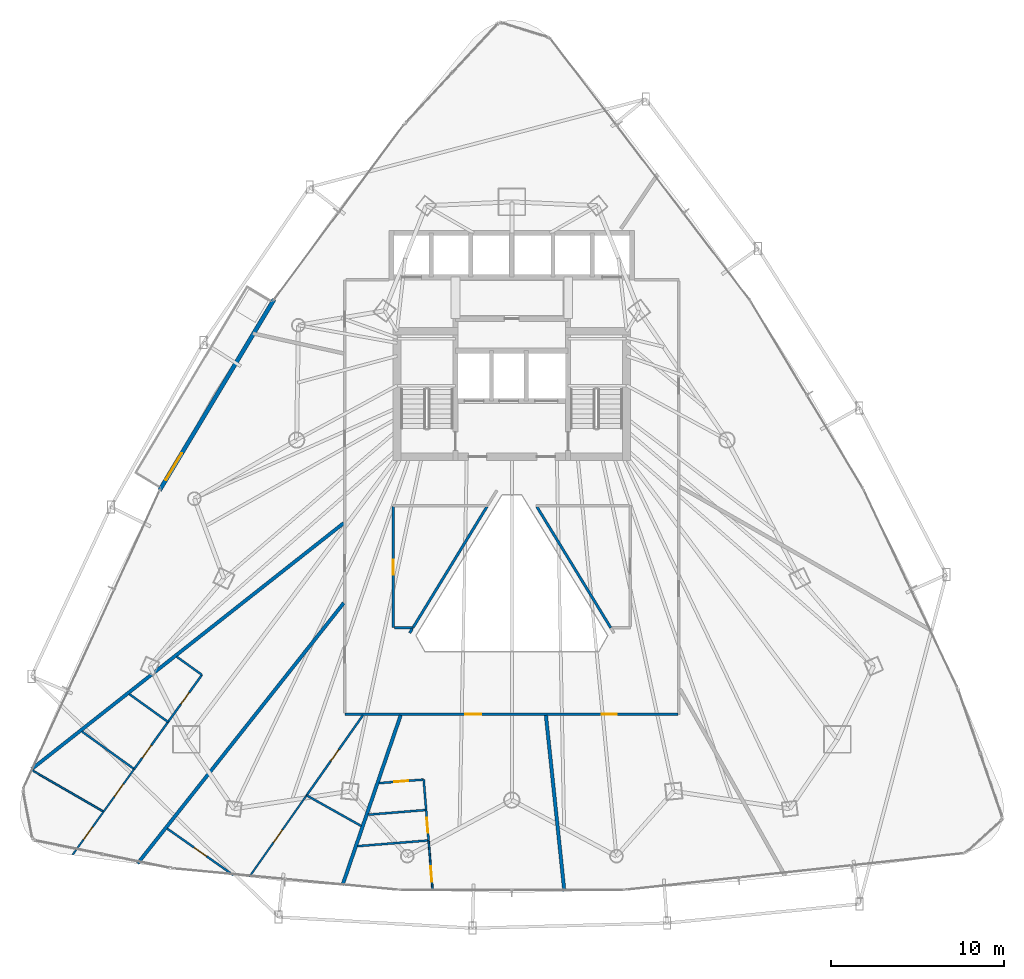
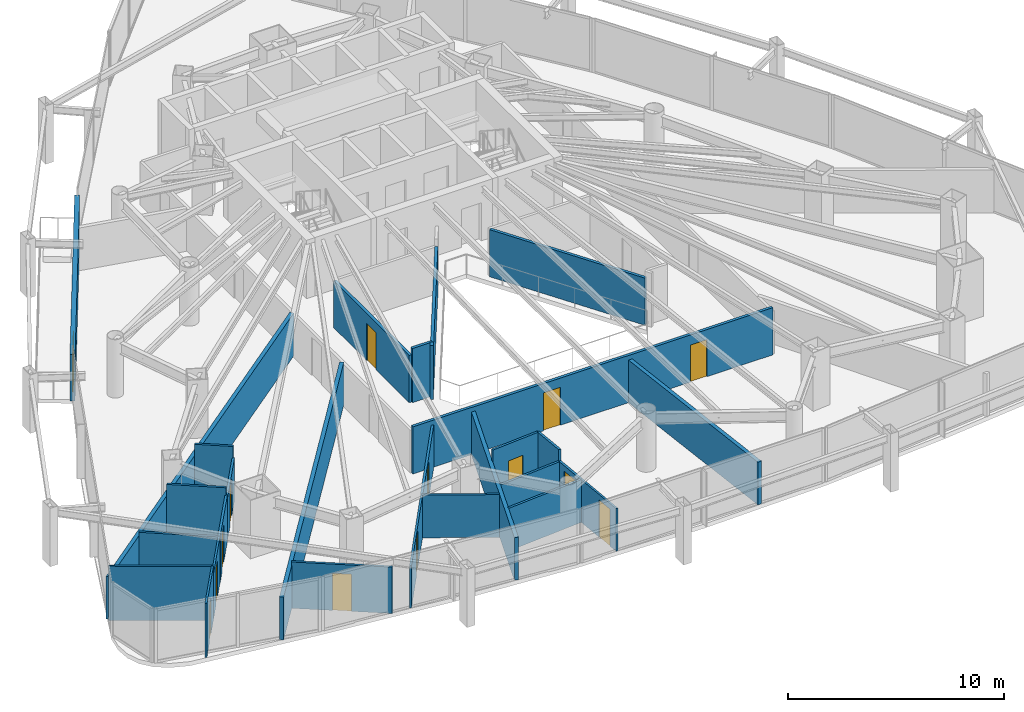
# One storey, part 31 of 37: 29 walls, 14 doors, 14 openings.
"""IFC4 building model written with IfcOpenShell, lengths in metres."""

from ifc_helpers import new_model, si_unit, direction, frame, frame_2d, origin, place, context, subcontext, project, spatial, rectangle, extrude, material, layer, layer_set, type_object, element, fill, save


model = new_model("IFC4")

# Units and contexts
model_context = context("Model", 3, precision=1e-05, world=origin(), true_north=direction((0.0, 1.0)))
body_context = subcontext(model_context, "Body", "Model", "MODEL_VIEW")
ifc_project = project(units=[si_unit("LENGTHUNIT", "METRE"), si_unit("AREAUNIT", "SQUARE_METRE"), si_unit("VOLUMEUNIT", "CUBIC_METRE"), si_unit("PLANEANGLEUNIT", "RADIAN"), si_unit("MASSUNIT", "GRAM", prefix="KILO")], contexts=[model_context])

# Site, building, storey
site_placement = place(None, origin())
site = spatial("IfcSite", under=ifc_project, at=site_placement, CompositionType="ELEMENT")
building_placement = place(site_placement, origin())
building = spatial("IfcBuilding", under=site, at=building_placement, Name="Orvanel Arch Residences", CompositionType="ELEMENT")
storey_placement = place(building_placement, frame((0.0, 0.0, 53.300048828125)))
storey = spatial("IfcBuildingStorey", under=building, at=storey_placement, Name="L14", CompositionType="ELEMENT", Elevation=53.300048828125)

# Wall, opening, door
ifc_material_1 = material(Name="Precast concrete N50 (50 MPa)", Category="concrete")
ifc_layer_1 = layer(ifc_material_1, 0.239990234375)
ifc_layer_set_1 = layer_set([ifc_layer_1], Name="Precast concrete N50 (50 MPa)")
wall_type_1 = type_object("IfcWallType", Name="EW-BAL-240", PredefinedType="SOLIDWALL", material=ifc_layer_set_1)
wall_1_placement = place(storey_placement, frame((19.264892578125, 35.764892578125, 0.0), z_axis=(0.0, 0.0, 1.0), x_axis=(-0.51430869017, -0.857605137121, 0.0)))
wall_1 = element("IfcWall", 1, at=wall_1_placement, inside=storey, type_object=wall_type_1, Name="L14 Balcony Threshold Wall Face 1", PredefinedType="SOLIDWALL", context=body_context, shape_type="SweptSolid", body=[
    extrude(rectangle(XDim=12.860107421875, YDim=0.239990234375, at=frame_2d((6.43017578125, 0.0))), origin(), (0.0, 0.0, 1.0), 2.6240234375),
])
opening_1_placement = place(wall_1_placement, frame((10.362060546875, 0.0, 0.0)))
opening_1 = element("IfcOpeningElement", 2, at=opening_1_placement, cuts=wall_1, Name="Opening DB-180", PredefinedType="OPENING", context=body_context, shape_type="SweptSolid", body=[
    extrude(rectangle(XDim=1.800048828125, YDim=2.199951171875, at=frame_2d((0.89990234375, 1.10009765625))), frame((0.0, 0.1298828125, 0.0), z_axis=(0.0, -1.0, 0.0), x_axis=(1.0, 0.0, 0.0)), (0.0, 0.0, 1.0), 0.260009765625),
])
ifc_material_2 = material(Name="Bronze-anodised aluminium AA6063-T6", Category="aluminium")
door_type_1 = type_object("IfcDoorType", Name="DR-BAL-1800", OperationType="NOTDEFINED", PredefinedType="DOOR", material=ifc_material_2)
door_1_placement = place(opening_1_placement, origin())
door_1 = element("IfcDoor", 3, at=door_1_placement, inside=storey, type_object=door_type_1, Name="DR-L14-BAL-F1 L14 Planted Balcony Access Door Face 1", OperationType="SINGLE_SWING_RIGHT", OverallHeight=2.199951171875, OverallWidth=1.800048828125, PredefinedType="DOOR", context=body_context, shape_type="SweptSolid", body=[
    extrude(rectangle(XDim=1.800048828125, YDim=2.199951171875, at=frame_2d((0.89990234375, 1.10009765625))), frame((0.0, 0.02490234375, 0.0), z_axis=(0.0, -1.0, 0.0), x_axis=(1.0, 0.0, 0.0)), (0.0, 0.0, 1.0), 0.050048828125),
])
fill(opening_1, door_1)

# Wall, openings, doors
ifc_material_3 = material(Name="Fire-rated plasterboard lined steel stud partition", Category="steel")
ifc_layer_2 = layer(ifc_material_3, 0.14990234375)
ifc_layer_set_2 = layer_set([ifc_layer_2], Name="Fire-rated plasterboard lined steel stud partition")
wall_type_2 = type_object("IfcWallType", Name="W-COR-150", PredefinedType="PARTITIONING", material=ifc_layer_set_2)
wall_2_placement = place(storey_placement, frame((42.590087890625, 11.800048828125, 0.0), z_axis=(0.0, 0.0, 1.0), x_axis=(-1.0, 0.0, 0.0)))
wall_2 = element("IfcWall", 4, at=wall_2_placement, inside=storey, type_object=wall_type_2, Name="L14 Corridor Fire-Rated Partition", PredefinedType="PARTITIONING", context=body_context, shape_type="SweptSolid", body=[
    extrude(rectangle(XDim=19.239990234375, YDim=0.14990234375, at=frame_2d((9.6201171875, 0.0))), origin(), (0.0, 0.0, 1.0), 2.6689453125),
])
opening_2_placement = place(wall_2_placement, frame((11.35498046875, 0.0, 0.0)))
opening_2 = element("IfcOpeningElement", 5, at=opening_2_placement, cuts=wall_2, Name="Opening DA-092", PredefinedType="OPENING", context=body_context, shape_type="SweptSolid", body=[
    extrude(rectangle(XDim=0.919921875, YDim=2.14990234375, at=frame_2d((0.4599609375, 1.074951171875))), frame((0.0, 0.0849609375, 0.0), z_axis=(0.0, -1.0, 0.0), x_axis=(1.0, 0.0, 0.0)), (0.0, 0.0, 1.0), 0.169921875),
])
opening_3_placement = place(wall_2_placement, frame((3.52392578125, 0.0, 0.0)))
opening_3 = element("IfcOpeningElement", 6, at=opening_3_placement, cuts=wall_2, Name="Opening DI-088", PredefinedType="OPENING", context=body_context, shape_type="SweptSolid", body=[
    extrude(rectangle(XDim=0.8798828125, YDim=2.10009765625, at=frame_2d((0.43994140625, 1.050048828125))), frame((0.0, 0.0849609375, 0.0), z_axis=(0.0, -1.0, 0.0), x_axis=(1.0, 0.0, 0.0)), (0.0, 0.0, 1.0), 0.169921875),
])
ifc_material_4 = material(Name="Solid-core European oak veneer fire door leaf", Category="wood")
door_type_2 = type_object("IfcDoorType", Name="DR-APT-920", OperationType="NOTDEFINED", PredefinedType="DOOR", material=ifc_material_4)
door_2_placement = place(opening_2_placement, origin())
door_2 = element("IfcDoor", 7, at=door_2_placement, inside=storey, type_object=door_type_2, Name="DR-L14-G-ENT L14 Flat G Entrance Door", OperationType="SINGLE_SWING_RIGHT", OverallHeight=2.14990234375, OverallWidth=0.919921875, PredefinedType="DOOR", context=body_context, shape_type="SweptSolid", body=[
    extrude(rectangle(XDim=0.919921875, YDim=2.14990234375, at=frame_2d((0.4599609375, 1.074951171875))), frame((0.0, 0.02490234375, 0.0), z_axis=(0.0, -1.0, 0.0), x_axis=(1.0, 0.0, 0.0)), (0.0, 0.0, 1.0), 0.050048828125),
])
fill(opening_2, door_2)
door_type_3 = type_object("IfcDoorType", Name="DR-INT-880", OperationType="NOTDEFINED", PredefinedType="DOOR", material=ifc_material_4)
door_3_placement = place(opening_3_placement, origin())
door_3 = element("IfcDoor", 8, at=door_3_placement, inside=storey, type_object=door_type_3, Name="DR-L14-SHRD-FB8 L14 Co-Working Study Office H Door", OperationType="SINGLE_SWING_LEFT", OverallHeight=2.10009765625, OverallWidth=0.8798828125, PredefinedType="DOOR", context=body_context, shape_type="SweptSolid", body=[
    extrude(rectangle(XDim=0.8798828125, YDim=2.10009765625, at=frame_2d((0.43994140625, 1.050048828125))), frame((0.0, 0.02490234375, 0.0), z_axis=(0.0, -1.0, 0.0), x_axis=(1.0, 0.0, 0.0)), (0.0, 0.0, 1.0), 0.050048828125),
])
fill(opening_3, door_3)

# Wall, opening, door
wall_3_placement = place(storey_placement, frame((26.14990234375, 23.7900390625, 0.0), z_axis=(0.0, 0.0, 1.0), x_axis=(0.0, -1.0, 0.0)))
wall_3 = element("IfcWall", 9, at=wall_3_placement, inside=storey, type_object=wall_type_2, Name="L14 Corridor Fire-Rated Partition", PredefinedType="PARTITIONING", context=body_context, shape_type="SweptSolid", body=[
    extrude(rectangle(XDim=6.989990234375, YDim=0.14990234375, at=frame_2d((3.4951171875, 0.0))), origin(), (0.0, 0.0, 1.0), 2.6689453125),
])
opening_4_placement = place(wall_3_placement, frame((3.054931640625, 0.0, 0.0)))
opening_4 = element("IfcOpeningElement", 10, at=opening_4_placement, cuts=wall_3, Name="Opening DI-088", PredefinedType="OPENING", context=body_context, shape_type="SweptSolid", body=[
    extrude(rectangle(XDim=0.8798828125, YDim=2.10009765625, at=frame_2d((0.43994140625, 1.050048828125))), frame((0.0, 0.0849609375, 0.0), z_axis=(0.0, -1.0, 0.0), x_axis=(1.0, 0.0, 0.0)), (0.0, 0.0, 1.0), 0.169921875),
])
door_4_placement = place(opening_4_placement, origin())
door_4 = element("IfcDoor", 11, at=door_4_placement, inside=storey, type_object=door_type_3, Name="DR-L14-SHRD-FB9 L14 Co-Working Study Office I Door", OperationType="SINGLE_SWING_LEFT", OverallHeight=2.10009765625, OverallWidth=0.8798828125, PredefinedType="DOOR", context=body_context, shape_type="SweptSolid", body=[
    extrude(rectangle(XDim=0.8798828125, YDim=2.10009765625, at=frame_2d((0.43994140625, 1.050048828125))), frame((0.0, 0.02490234375, 0.0), z_axis=(0.0, -1.0, 0.0), x_axis=(1.0, 0.0, 0.0)), (0.0, 0.0, 1.0), 0.050048828125),
])
fill(opening_4, door_4)

# Walls
wall_4_placement = place(storey_placement, frame((26.2099609375, 16.800048828125, 0.0), z_axis=(0.0, 0.0, 1.0), x_axis=(1.0, 0.0, 0.0)))
element("IfcWall", 12, at=wall_4_placement, inside=storey, type_object=wall_type_2, Name="L14 Corridor Fire-Rated Partition", PredefinedType="PARTITIONING", context=body_context, shape_type="SweptSolid", body=[
    extrude(rectangle(XDim=1.071044921875, YDim=0.14990234375, at=frame_2d((0.53564453125, 0.0))), origin(), (0.0, 0.0, 1.0), 3.06005859375),
])
wall_5_placement = place(storey_placement, frame((27.24609375, 16.739990234375, 0.0), z_axis=(0.0, 0.0, 1.0), x_axis=(-0.508992658084, -0.860770860344, 0.0)))
element("IfcWall", 13, at=wall_5_placement, inside=storey, type_object=wall_type_2, Name="L14 Corridor Fire-Rated Partition", PredefinedType="PARTITIONING", context=body_context, shape_type="SweptSolid", body=[
    extrude(rectangle(XDim=0.281005859375, YDim=0.14990234375, at=frame_2d((0.140625, 0.0))), origin(), (0.0, 0.0, 1.0), 3.06005859375),
])
wall_6_placement = place(storey_placement, frame((27.281005859375, 16.7900390625, 0.0), z_axis=(0.0, 0.0, 1.0), x_axis=(0.521563150989, 0.8532126813, 0.0)))
element("IfcWall", 14, at=wall_6_placement, inside=storey, type_object=wall_type_2, Name="L14 Atrium Overlook Glazed Partition", PredefinedType="PARTITIONING", context=body_context, shape_type="SweptSolid", body=[
    extrude(rectangle(XDim=8.204345703125, YDim=0.14990234375, at=frame_2d((4.10205078125, 0.0))), origin(), (0.0, 0.0, 1.0), 2.6689453125),
])
wall_7_placement = place(storey_placement, frame((34.445068359375, 23.7900390625, 0.0), z_axis=(0.0, 0.0, 1.0), x_axis=(0.521145044988, -0.853468125992, 0.0)))
element("IfcWall", 15, at=wall_7_placement, inside=storey, type_object=wall_type_2, Name="L14 Atrium Overlook Glazed Partition", PredefinedType="PARTITIONING", context=body_context, shape_type="SweptSolid", body=[
    extrude(rectangle(XDim=8.193603515625, YDim=0.14990234375, at=frame_2d((4.0966796875, 0.0))), origin(), (0.0, 0.0, 1.0), 2.6689453125),
])
ifc_layer_3 = layer(ifc_material_3, 0.199951171875)
ifc_layer_set_3 = layer_set([ifc_layer_3], Name="Fire-rated plasterboard lined steel stud partition")
wall_type_3 = type_object("IfcWallType", Name="W-DEM-200", PredefinedType="PARTITIONING", material=ifc_layer_set_3)
wall_8_placement = place(storey_placement, frame((23.2900390625, 22.843994140625, 0.0), z_axis=(0.0, 0.0, 1.0), x_axis=(-0.785302077685, -0.619112790034, 0.0)))
element("IfcWall", 16, at=wall_8_placement, inside=storey, type_object=wall_type_3, Name="L14 Inter-Tenancy Acoustic Demising Wall", PredefinedType="PARTITIONING", context=body_context, shape_type="SweptSolid", body=[
    extrude(rectangle(XDim=22.956787109375, YDim=0.199951171875, at=frame_2d((11.478515625, 0.0))), origin(), (0.0, 0.0, 1.0), 2.412841796875),
])
wall_9_placement = place(storey_placement, frame((23.2900390625, 18.22802734375, 0.0), z_axis=(0.0, 0.0, 1.0), x_axis=(-0.620501189922, -0.784205504511, 0.0)))
element("IfcWall", 17, at=wall_9_placement, inside=storey, type_object=wall_type_3, Name="L14 Inter-Tenancy Acoustic Demising Wall", PredefinedType="PARTITIONING", context=body_context, shape_type="SweptSolid", body=[
    extrude(rectangle(XDim=19.187744140625, YDim=0.199951171875, at=frame_2d((9.59375, 0.0))), origin(), (0.0, 0.0, 1.0), 2.412841796875),
])
wall_10_placement = place(storey_placement, frame((26.5791015625, 11.739990234375, 0.0), z_axis=(0.0, 0.0, 1.0), x_axis=(-0.32385337678, -0.946107282684, 0.0)))
element("IfcWall", 18, at=wall_10_placement, inside=storey, type_object=wall_type_3, Name="L14 Inter-Tenancy Acoustic Demising Wall", PredefinedType="PARTITIONING", context=body_context, shape_type="SweptSolid", body=[
    extrude(rectangle(XDim=10.37841796875, YDim=0.199951171875, at=frame_2d((5.189208984375, 0.0))), origin(), (0.0, 0.0, 1.0), 2.412841796875),
])
wall_11_placement = place(storey_placement, frame((34.968994140625, 11.739990234375, 0.0), z_axis=(0.0, 0.0, 1.0), x_axis=(0.10435134466, -0.994540495338, 0.0)))
element("IfcWall", 19, at=wall_11_placement, inside=storey, type_object=wall_type_3, Name="L14 Inter-Tenancy Acoustic Demising Wall", PredefinedType="PARTITIONING", context=body_context, shape_type="SweptSolid", body=[
    extrude(rectangle(XDim=10.214599609375, YDim=0.199951171875, at=frame_2d((5.107421875, 0.0))), origin(), (0.0, 0.0, 1.0), 2.412841796875),
])

# Wall, opening, door
ifc_material_5 = material(Name="Acoustic plasterboard lined twin-stud partition", Category="gypsum")
ifc_layer_4 = layer(ifc_material_5, 0.10009765625)
ifc_layer_set_4 = layer_set([ifc_layer_4], Name="Acoustic plasterboard lined twin-stud partition")
wall_type_4 = type_object("IfcWallType", Name="W-INT-100", PredefinedType="PARTITIONING", material=ifc_layer_set_4)
wall_12_placement = place(storey_placement, frame((7.62890625, 3.68505859375, 0.0), z_axis=(0.0, 0.0, 1.0), x_axis=(0.583746077317, 0.811936276574, 0.0)))
wall_12 = element("IfcWall", 20, at=wall_12_placement, inside=storey, type_object=wall_type_4, Name="L14 Flat E Internal Partition", PredefinedType="PARTITIONING", context=body_context, shape_type="SweptSolid", body=[
    extrude(rectangle(XDim=3.063232421875, YDim=0.10009765625, at=frame_2d((1.53173828125, 0.0))), origin(), (0.0, 0.0, 1.0), 3.06005859375),
])
opening_5_placement = place(wall_12_placement, frame((1.092041015625, 0.0, 0.0)))
opening_5 = element("IfcOpeningElement", 21, at=opening_5_placement, cuts=wall_12, Name="Opening DI-088", PredefinedType="OPENING", context=body_context, shape_type="SweptSolid", body=[
    extrude(rectangle(XDim=0.8798828125, YDim=2.10009765625, at=frame_2d((0.43994140625, 1.050048828125))), frame((0.0, 0.06005859375, 0.0), z_axis=(0.0, -1.0, 0.0), x_axis=(1.0, 0.0, 0.0)), (0.0, 0.0, 1.0), 0.1201171875),
])
door_5_placement = place(opening_5_placement, origin())
door_5 = element("IfcDoor", 22, at=door_5_placement, inside=storey, type_object=door_type_3, Name="DR-L14-E-BED1 L14 Flat E Bedroom 1 Door", OperationType="SINGLE_SWING_LEFT", OverallHeight=2.10009765625, OverallWidth=0.8798828125, PredefinedType="DOOR", context=body_context, shape_type="SweptSolid", body=[
    extrude(rectangle(XDim=0.8798828125, YDim=2.10009765625, at=frame_2d((0.43994140625, 1.050048828125))), frame((0.0, 0.02490234375, 0.0), z_axis=(0.0, -1.0, 0.0), x_axis=(1.0, 0.0, 0.0)), (0.0, 0.0, 1.0), 0.050048828125),
])
fill(opening_5, door_5)

wall_13_placement = place(storey_placement, frame((9.4169921875, 6.172119140625, 0.0), z_axis=(0.0, 0.0, 1.0), x_axis=(0.583596240012, 0.812043981964, 0.0)))
wall_13 = element("IfcWall", 23, at=wall_13_placement, inside=storey, type_object=wall_type_4, Name="L14 Flat E Internal Partition", PredefinedType="PARTITIONING", context=body_context, shape_type="SweptSolid", body=[
    extrude(rectangle(XDim=3.032958984375, YDim=0.10009765625, at=frame_2d((1.5166015625, 0.0))), origin(), (0.0, 0.0, 1.0), 2.618896484375),
])
opening_6_placement = place(wall_13_placement, frame((1.076904296875, 0.0, 0.0)))
opening_6 = element("IfcOpeningElement", 24, at=opening_6_placement, cuts=wall_13, Name="Opening DI-088", PredefinedType="OPENING", context=body_context, shape_type="SweptSolid", body=[
    extrude(rectangle(XDim=0.8798828125, YDim=2.10009765625, at=frame_2d((0.43994140625, 1.050048828125))), frame((0.0, 0.06005859375, 0.0), z_axis=(0.0, -1.0, 0.0), x_axis=(1.0, 0.0, 0.0)), (0.0, 0.0, 1.0), 0.1201171875),
])
door_6_placement = place(opening_6_placement, origin())
door_6 = element("IfcDoor", 25, at=door_6_placement, inside=storey, type_object=door_type_3, Name="DR-L14-E-STU2 L14 Flat E Private Study Room 1 Door", OperationType="SINGLE_SWING_LEFT", OverallHeight=2.10009765625, OverallWidth=0.8798828125, PredefinedType="DOOR", context=body_context, shape_type="SweptSolid", body=[
    extrude(rectangle(XDim=0.8798828125, YDim=2.10009765625, at=frame_2d((0.43994140625, 1.050048828125))), frame((0.0, 0.02490234375, 0.0), z_axis=(0.0, -1.0, 0.0), x_axis=(1.0, 0.0, 0.0)), (0.0, 0.0, 1.0), 0.050048828125),
])
fill(opening_6, door_6)

# Wall
wall_14_placement = place(storey_placement, frame((5.2529296875, 8.590087890625, 0.0), z_axis=(0.0, 0.0, 1.0), x_axis=(0.864777582771, -0.502155087932, 0.0)))
element("IfcWall", 26, at=wall_14_placement, inside=storey, type_object=wall_type_4, Name="L14 Flat E Internal Partition", PredefinedType="PARTITIONING", context=body_context, shape_type="SweptSolid", body=[
    extrude(rectangle(XDim=4.815185546875, YDim=0.10009765625, at=frame_2d((2.40771484375, 0.0))), origin(), (0.0, 0.0, 1.0), 3.06005859375),
])

# Wall, opening, door
wall_15_placement = place(storey_placement, frame((21.14599609375, 7.115966796875, 0.0), z_axis=(0.0, 0.0, 1.0), x_axis=(-0.575180299529, -0.818026664011, 0.0)))
wall_15 = element("IfcWall", 27, at=wall_15_placement, inside=storey, type_object=wall_type_4, Name="L14 Flat F Internal Partition", PredefinedType="PARTITIONING", context=body_context, shape_type="SweptSolid", body=[
    extrude(rectangle(XDim=5.756591796875, YDim=0.10009765625, at=frame_2d((2.87841796875, 0.0))), origin(), (0.0, 0.0, 1.0), 2.412841796875),
])
opening_7_placement = place(wall_15_placement, frame((2.43798828125, 0.0, 0.0)))
opening_7 = element("IfcOpeningElement", 28, at=opening_7_placement, cuts=wall_15, Name="Opening DI-088", PredefinedType="OPENING", context=body_context, shape_type="SweptSolid", body=[
    extrude(rectangle(XDim=0.8798828125, YDim=2.10009765625, at=frame_2d((0.43994140625, 1.050048828125))), frame((0.0, 0.06005859375, 0.0), z_axis=(0.0, -1.0, 0.0), x_axis=(1.0, 0.0, 0.0)), (0.0, 0.0, 1.0), 0.1201171875),
])
door_7_placement = place(opening_7_placement, origin())
door_7 = element("IfcDoor", 29, at=door_7_placement, inside=storey, type_object=door_type_3, Name="DR-L14-F-BED1 L14 Flat F Bedroom 1 Door", OperationType="SINGLE_SWING_LEFT", OverallHeight=2.10009765625, OverallWidth=0.8798828125, PredefinedType="DOOR", context=body_context, shape_type="SweptSolid", body=[
    extrude(rectangle(XDim=0.8798828125, YDim=2.10009765625, at=frame_2d((0.43994140625, 1.050048828125))), frame((0.0, 0.02490234375, 0.0), z_axis=(0.0, -1.0, 0.0), x_axis=(1.0, 0.0, 0.0)), (0.0, 0.0, 1.0), 0.050048828125),
])
fill(opening_7, door_7)

wall_16_placement = place(storey_placement, frame((28.425048828125, 1.6220703125, 0.0), z_axis=(0.0, 0.0, 1.0), x_axis=(-0.080390934681, 0.996763411057, 0.0)))
wall_16 = element("IfcWall", 30, at=wall_16_placement, inside=storey, type_object=wall_type_4, Name="L14 Flat G Internal Partition", PredefinedType="PARTITIONING", context=body_context, shape_type="SweptSolid", body=[
    extrude(rectangle(XDim=2.900146484375, YDim=0.10009765625, at=frame_2d((1.4501953125, 0.0))), origin(), (0.0, 0.0, 1.0), 2.412841796875),
])
opening_8_placement = place(wall_16_placement, frame((0.51708984375, 0.0, 0.0)))
opening_8 = element("IfcOpeningElement", 31, at=opening_8_placement, cuts=wall_16, Name="Opening DI-088", PredefinedType="OPENING", context=body_context, shape_type="SweptSolid", body=[
    extrude(rectangle(XDim=0.8798828125, YDim=2.10009765625, at=frame_2d((0.43994140625, 1.050048828125))), frame((0.0, 0.06005859375, 0.0), z_axis=(0.0, -1.0, 0.0), x_axis=(1.0, 0.0, 0.0)), (0.0, 0.0, 1.0), 0.1201171875),
])
door_8_placement = place(opening_8_placement, origin())
door_8 = element("IfcDoor", 32, at=door_8_placement, inside=storey, type_object=door_type_3, Name="DR-L14-G-BED1 L14 Flat G Bedroom 1 Door", OperationType="SINGLE_SWING_LEFT", OverallHeight=2.10009765625, OverallWidth=0.8798828125, PredefinedType="DOOR", context=body_context, shape_type="SweptSolid", body=[
    extrude(rectangle(XDim=0.8798828125, YDim=2.10009765625, at=frame_2d((0.43994140625, 1.050048828125))), frame((0.0, 0.02490234375, 0.0), z_axis=(0.0, -1.0, 0.0), x_axis=(1.0, 0.0, 0.0)), (0.0, 0.0, 1.0), 0.050048828125),
])
fill(opening_8, door_8)

ifc_layer_5 = layer(ifc_material_5, 0.1201171875)
ifc_layer_set_5 = layer_set([ifc_layer_5], Name="Acoustic plasterboard lined twin-stud partition")
wall_type_5 = type_object("IfcWallType", Name="W-WET-120", PredefinedType="PARTITIONING", material=ifc_layer_set_5)
wall_17_placement = place(storey_placement, frame((13.14306640625, 11.35693359375, 0.0), z_axis=(0.0, 0.0, 1.0), x_axis=(0.583709603858, 0.811962498127, 0.0)))
wall_17 = element("IfcWall", 33, at=wall_17_placement, inside=storey, type_object=wall_type_5, Name="L14 Flat E Bathroom Partition", PredefinedType="PARTITIONING", context=body_context, shape_type="SweptSolid", body=[
    extrude(rectangle(XDim=3.35107421875, YDim=0.1201171875, at=frame_2d((1.675537109375, 0.0))), origin(), (0.0, 0.0, 1.0), 2.412841796875),
])
opening_9_placement = place(wall_17_placement, frame((1.26611328125, 0.0, 0.0)))
opening_9 = element("IfcOpeningElement", 34, at=opening_9_placement, cuts=wall_17, Name="Opening DW-082", PredefinedType="OPENING", context=body_context, shape_type="SweptSolid", body=[
    extrude(rectangle(XDim=0.820068359375, YDim=2.10009765625, at=frame_2d((0.41015625, 1.050048828125))), frame((0.0, 0.070068359375, 0.0), z_axis=(0.0, -1.0, 0.0), x_axis=(1.0, 0.0, 0.0)), (0.0, 0.0, 1.0), 0.14013671875),
])
door_type_4 = type_object("IfcDoorType", Name="DR-WET-820", OperationType="NOTDEFINED", PredefinedType="DOOR", material=ifc_material_4)
door_9_placement = place(opening_9_placement, origin())
door_9 = element("IfcDoor", 35, at=door_9_placement, inside=storey, type_object=door_type_4, Name="DR-L14-E-BATH L14 Flat E Bathroom Door", OperationType="SINGLE_SWING_RIGHT", OverallHeight=2.10009765625, OverallWidth=0.820068359375, PredefinedType="DOOR", context=body_context, shape_type="SweptSolid", body=[
    extrude(rectangle(XDim=0.820068359375, YDim=2.10009765625, at=frame_2d((0.41015625, 1.050048828125))), frame((0.0, 0.02490234375, 0.0), z_axis=(0.0, -1.0, 0.0), x_axis=(1.0, 0.0, 0.0)), (0.0, 0.0, 1.0), 0.050048828125),
])
fill(opening_9, door_9)

# Wall
wall_18_placement = place(storey_placement, frame((15.09912109375, 14.077880859375, 0.0), z_axis=(0.0, 0.0, 1.0), x_axis=(-0.812134003072, 0.583470959906, 0.0)))
element("IfcWall", 36, at=wall_18_placement, inside=storey, type_object=wall_type_5, Name="L14 Flat E Bathroom Partition", PredefinedType="PARTITIONING", context=body_context, shape_type="SweptSolid", body=[
    extrude(rectangle(XDim=1.798095703125, YDim=0.1201171875, at=frame_2d((0.89892578125, 0.0))), origin(), (0.0, 0.0, 1.0), 3.06005859375),
])

# Wall, opening, door
wall_19_placement = place(storey_placement, frame((11.18701171875, 8.635009765625, 0.0), z_axis=(0.0, 0.0, 1.0), x_axis=(0.583571510595, 0.812061753823, 0.0)))
wall_19 = element("IfcWall", 37, at=wall_19_placement, inside=storey, type_object=wall_type_5, Name="L14 Flat E Internal Partition", PredefinedType="PARTITIONING", context=body_context, shape_type="SweptSolid", body=[
    extrude(rectangle(XDim=3.351806640625, YDim=0.1201171875, at=frame_2d((1.67578125, 0.0))), origin(), (0.0, 0.0, 1.0), 2.618896484375),
])
opening_10_placement = place(wall_19_placement, frame((0.802001953125, 0.0, 0.0)))
opening_10 = element("IfcOpeningElement", 38, at=opening_10_placement, cuts=wall_19, Name="Opening DI-088", PredefinedType="OPENING", context=body_context, shape_type="SweptSolid", body=[
    extrude(rectangle(XDim=0.8798828125, YDim=2.10009765625, at=frame_2d((0.43994140625, 1.050048828125))), frame((0.0, 0.070068359375, 0.0), z_axis=(0.0, -1.0, 0.0), x_axis=(1.0, 0.0, 0.0)), (0.0, 0.0, 1.0), 0.14013671875),
])
door_10_placement = place(opening_10_placement, origin())
door_10 = element("IfcDoor", 39, at=door_10_placement, inside=storey, type_object=door_type_3, Name="DR-L14-E-KIT L14 Flat E Kitchen Door", OperationType="SINGLE_SWING_LEFT", OverallHeight=2.10009765625, OverallWidth=0.8798828125, PredefinedType="DOOR", context=body_context, shape_type="SweptSolid", body=[
    extrude(rectangle(XDim=0.8798828125, YDim=2.10009765625, at=frame_2d((0.43994140625, 1.050048828125))), frame((0.0, 0.02490234375, 0.0), z_axis=(0.0, -1.0, 0.0), x_axis=(1.0, 0.0, 0.0)), (0.0, 0.0, 1.0), 0.050048828125),
])
fill(opening_10, door_10)

# Walls
wall_20_placement = place(storey_placement, frame((13.14306640625, 11.35693359375, 0.0), z_axis=(0.0, 0.0, 1.0), x_axis=(-0.812099176387, 0.583519432162, 0.0)))
element("IfcWall", 40, at=wall_20_placement, inside=storey, type_object=wall_type_5, Name="L14 Flat E Bathroom Partition", PredefinedType="PARTITIONING", context=body_context, shape_type="SweptSolid", body=[
    extrude(rectangle(XDim=2.760986328125, YDim=0.1201171875, at=frame_2d((1.38037109375, 0.0))), origin(), (0.0, 0.0, 1.0), 3.06005859375),
])
wall_21_placement = place(storey_placement, frame((11.18701171875, 8.635009765625, 0.0), z_axis=(0.0, 0.0, 1.0), x_axis=(-0.812025077548, 0.583622543629, 0.0)))
element("IfcWall", 41, at=wall_21_placement, inside=storey, type_object=wall_type_5, Name="L14 Flat E Internal Partition", PredefinedType="PARTITIONING", context=body_context, shape_type="SweptSolid", body=[
    extrude(rectangle(XDim=3.72509765625, YDim=0.1201171875, at=frame_2d((1.862548828125, 0.0))), origin(), (0.0, 0.0, 1.0), 2.618896484375),
])

# Wall, opening, door
wall_22_placement = place(storey_placement, frame((24.39794921875, 11.739990234375, 0.0), z_axis=(0.0, 0.0, 1.0), x_axis=(-0.575258030062, -0.817972003707, 0.0)))
wall_22 = element("IfcWall", 42, at=wall_22_placement, inside=storey, type_object=wall_type_5, Name="L14 Flat F Bathroom Partition", PredefinedType="PARTITIONING", context=body_context, shape_type="SweptSolid", body=[
    extrude(rectangle(XDim=5.653076171875, YDim=0.1201171875, at=frame_2d((2.82666015625, 0.0))), origin(), (0.0, 0.0, 1.0), 2.412841796875),
])
opening_11_placement = place(wall_22_placement, frame((2.4169921875, 0.0, 0.0)))
opening_11 = element("IfcOpeningElement", 43, at=opening_11_placement, cuts=wall_22, Name="Opening DW-082", PredefinedType="OPENING", context=body_context, shape_type="SweptSolid", body=[
    extrude(rectangle(XDim=0.820068359375, YDim=2.10009765625, at=frame_2d((0.41015625, 1.050048828125))), frame((0.0, 0.070068359375, 0.0), z_axis=(0.0, -1.0, 0.0), x_axis=(1.0, 0.0, 0.0)), (0.0, 0.0, 1.0), 0.14013671875),
])
door_11_placement = place(opening_11_placement, origin())
door_11 = element("IfcDoor", 44, at=door_11_placement, inside=storey, type_object=door_type_4, Name="DR-L14-F-BATH L14 Flat F Bathroom Door", OperationType="SINGLE_SWING_RIGHT", OverallHeight=2.10009765625, OverallWidth=0.820068359375, PredefinedType="DOOR", context=body_context, shape_type="SweptSolid", body=[
    extrude(rectangle(XDim=0.820068359375, YDim=2.10009765625, at=frame_2d((0.41015625, 1.050048828125))), frame((0.0, 0.02490234375, 0.0), z_axis=(0.0, -1.0, 0.0), x_axis=(1.0, 0.0, 0.0)), (0.0, 0.0, 1.0), 0.050048828125),
])
fill(opening_11, door_11)

wall_23_placement = place(storey_placement, frame((16.9208984375, 2.5048828125, 0.0), z_axis=(0.0, 0.0, 1.0), x_axis=(-0.818042569522, 0.575157677902, 0.0)))
wall_23 = element("IfcWall", 45, at=wall_23_placement, inside=storey, type_object=wall_type_5, Name="L14 Flat F Internal Partition", PredefinedType="PARTITIONING", context=body_context, shape_type="SweptSolid", body=[
    extrude(rectangle(XDim=4.68408203125, YDim=0.1201171875, at=frame_2d((2.342041015625, 0.0))), origin(), (0.0, 0.0, 1.0), 2.618896484375),
])
opening_12_placement = place(wall_23_placement, frame((1.902099609375, 0.0, 0.0)))
opening_12 = element("IfcOpeningElement", 46, at=opening_12_placement, cuts=wall_23, Name="Opening DI-088", PredefinedType="OPENING", context=body_context, shape_type="SweptSolid", body=[
    extrude(rectangle(XDim=0.8798828125, YDim=2.10009765625, at=frame_2d((0.43994140625, 1.050048828125))), frame((0.0, 0.070068359375, 0.0), z_axis=(0.0, -1.0, 0.0), x_axis=(1.0, 0.0, 0.0)), (0.0, 0.0, 1.0), 0.14013671875),
])
door_12_placement = place(opening_12_placement, origin())
door_12 = element("IfcDoor", 47, at=door_12_placement, inside=storey, type_object=door_type_3, Name="DR-L14-F-KIT L14 Flat F Kitchen Door", OperationType="SINGLE_SWING_LEFT", OverallHeight=2.10009765625, OverallWidth=0.8798828125, PredefinedType="DOOR", context=body_context, shape_type="SweptSolid", body=[
    extrude(rectangle(XDim=0.8798828125, YDim=2.10009765625, at=frame_2d((0.43994140625, 1.050048828125))), frame((0.0, 0.02490234375, 0.0), z_axis=(0.0, -1.0, 0.0), x_axis=(1.0, 0.0, 0.0)), (0.0, 0.0, 1.0), 0.050048828125),
])
fill(opening_12, door_12)

# Walls
wall_24_placement = place(storey_placement, frame((24.301025390625, 5.346923828125, 0.0), z_axis=(0.0, 0.0, 1.0), x_axis=(-0.872243471816, 0.48907190256, 0.0)))
element("IfcWall", 48, at=wall_24_placement, inside=storey, type_object=wall_type_5, Name="L14 Flat F Bathroom Partition", PredefinedType="PARTITIONING", context=body_context, shape_type="SweptSolid", body=[
    extrude(rectangle(XDim=3.6171875, YDim=0.1201171875, at=frame_2d((1.80859375, 0.0))), origin(), (0.0, 0.0, 1.0), 2.412841796875),
])
wall_25_placement = place(storey_placement, frame((28.050048828125, 6.27197265625, 0.0), z_axis=(0.0, 0.0, 1.0), x_axis=(-0.080009304194, 0.996794116778, 0.0)))
element("IfcWall", 49, at=wall_25_placement, inside=storey, type_object=wall_type_5, Name="L14 Flat G Bathroom Partition", PredefinedType="PARTITIONING", context=body_context, shape_type="SweptSolid", body=[
    extrude(rectangle(XDim=1.763671875, YDim=0.1201171875, at=frame_2d((0.8818359375, 0.0))), origin(), (0.0, 0.0, 1.0), 3.06005859375),
])

# Wall, opening, door
wall_26_placement = place(storey_placement, frame((27.908935546875, 8.030029296875, 0.0), z_axis=(0.0, 0.0, 1.0), x_axis=(-0.996768339954, -0.080329798112, 0.0)))
wall_26 = element("IfcWall", 50, at=wall_26_placement, inside=storey, type_object=wall_type_5, Name="L14 Flat G Bathroom Partition", PredefinedType="PARTITIONING", context=body_context, shape_type="SweptSolid", body=[
    extrude(rectangle(XDim=2.58935546875, YDim=0.1201171875, at=frame_2d((1.294677734375, 0.0))), origin(), (0.0, 0.0, 1.0), 3.06005859375),
])
opening_13_placement = place(wall_26_placement, frame((0.885009765625, 0.0, 0.0)))
opening_13 = element("IfcOpeningElement", 51, at=opening_13_placement, cuts=wall_26, Name="Opening DW-082", PredefinedType="OPENING", context=body_context, shape_type="SweptSolid", body=[
    extrude(rectangle(XDim=0.820068359375, YDim=2.10009765625, at=frame_2d((0.41015625, 1.050048828125))), frame((0.0, 0.070068359375, 0.0), z_axis=(0.0, -1.0, 0.0), x_axis=(1.0, 0.0, 0.0)), (0.0, 0.0, 1.0), 0.14013671875),
])
door_13_placement = place(opening_13_placement, origin())
door_13 = element("IfcDoor", 52, at=door_13_placement, inside=storey, type_object=door_type_4, Name="DR-L14-G-BATH L14 Flat G Bathroom Door", OperationType="SINGLE_SWING_RIGHT", OverallHeight=2.10009765625, OverallWidth=0.820068359375, PredefinedType="DOOR", context=body_context, shape_type="SweptSolid", body=[
    extrude(rectangle(XDim=0.820068359375, YDim=2.10009765625, at=frame_2d((0.41015625, 1.050048828125))), frame((0.0, 0.02490234375, 0.0), z_axis=(0.0, -1.0, 0.0), x_axis=(1.0, 0.0, 0.0)), (0.0, 0.0, 1.0), 0.050048828125),
])
fill(opening_13, door_13)

wall_27_placement = place(storey_placement, frame((28.19189453125, 4.512939453125, 0.0), z_axis=(0.0, 0.0, 1.0), x_axis=(-0.080377539135, 0.996764491343, 0.0)))
wall_27 = element("IfcWall", 53, at=wall_27_placement, inside=storey, type_object=wall_type_5, Name="L14 Flat G Internal Partition", PredefinedType="PARTITIONING", context=body_context, shape_type="SweptSolid", body=[
    extrude(rectangle(XDim=1.7646484375, YDim=0.1201171875, at=frame_2d((0.88232421875, 0.0))), origin(), (0.0, 0.0, 1.0), 2.412841796875),
])
opening_14_placement = place(wall_27_placement, frame((0.44189453125, 0.0, 0.0)))
opening_14 = element("IfcOpeningElement", 54, at=opening_14_placement, cuts=wall_27, Name="Opening DI-088", PredefinedType="OPENING", context=body_context, shape_type="SweptSolid", body=[
    extrude(rectangle(XDim=0.8798828125, YDim=2.10009765625, at=frame_2d((0.43994140625, 1.050048828125))), frame((0.0, 0.070068359375, 0.0), z_axis=(0.0, -1.0, 0.0), x_axis=(1.0, 0.0, 0.0)), (0.0, 0.0, 1.0), 0.14013671875),
])
door_14_placement = place(opening_14_placement, origin())
door_14 = element("IfcDoor", 55, at=door_14_placement, inside=storey, type_object=door_type_3, Name="DR-L14-G-KIT L14 Flat G Kitchen Door", OperationType="SINGLE_SWING_LEFT", OverallHeight=2.10009765625, OverallWidth=0.8798828125, PredefinedType="DOOR", context=body_context, shape_type="SweptSolid", body=[
    extrude(rectangle(XDim=0.8798828125, YDim=2.10009765625, at=frame_2d((0.43994140625, 1.050048828125))), frame((0.0, 0.02490234375, 0.0), z_axis=(0.0, -1.0, 0.0), x_axis=(1.0, 0.0, 0.0)), (0.0, 0.0, 1.0), 0.050048828125),
])
fill(opening_14, door_14)

# Walls
wall_28_placement = place(storey_placement, frame((28.050048828125, 6.27197265625, 0.0), z_axis=(0.0, 0.0, 1.0), x_axis=(-0.99675765278, -0.080462299392, 0.0)))
element("IfcWall", 56, at=wall_28_placement, inside=storey, type_object=wall_type_5, Name="L14 Flat G Bathroom Partition", PredefinedType="PARTITIONING", context=body_context, shape_type="SweptSolid", body=[
    extrude(rectangle(XDim=3.35595703125, YDim=0.1201171875, at=frame_2d((1.677978515625, 0.0))), origin(), (0.0, 0.0, 1.0), 2.412841796875),
])
wall_29_placement = place(storey_placement, frame((28.19189453125, 4.512939453125, 0.0), z_axis=(0.0, 0.0, 1.0), x_axis=(-0.996771449714, -0.080291201486, 0.0)))
element("IfcWall", 57, at=wall_29_placement, inside=storey, type_object=wall_type_5, Name="L14 Flat G Internal Partition", PredefinedType="PARTITIONING", context=body_context, shape_type="SweptSolid", body=[
    extrude(rectangle(XDim=4.123291015625, YDim=0.1201171875, at=frame_2d((2.0615234375, 0.0))), origin(), (0.0, 0.0, 1.0), 2.412841796875),
])

save(model, "model.ifc")
